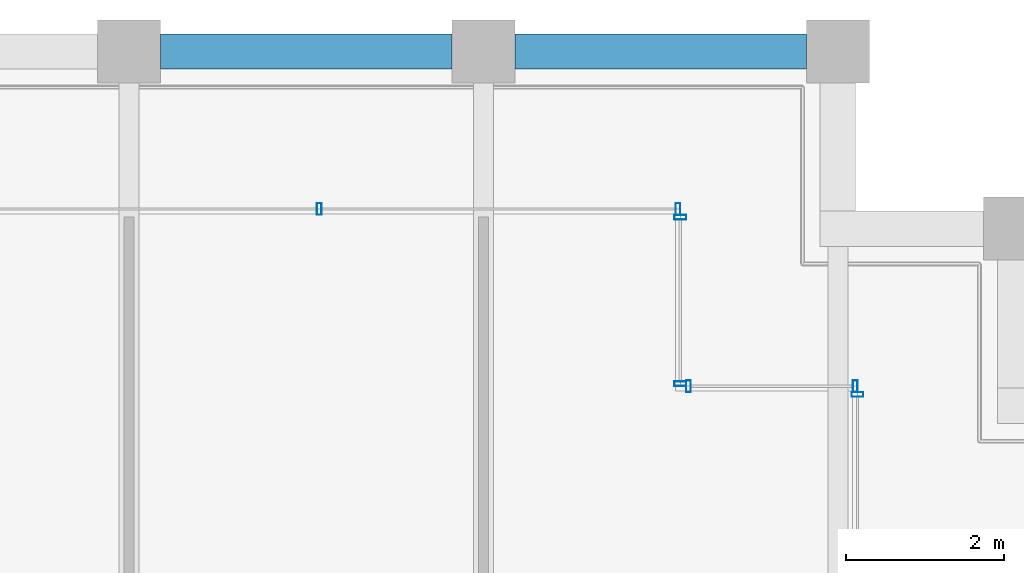
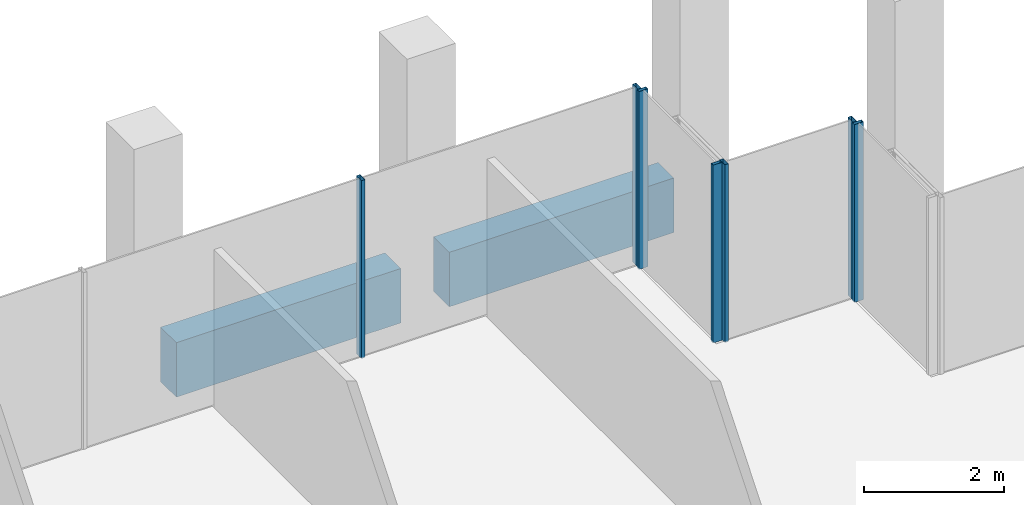
# One storey, part 26 of 30: 7 members, 2 beams, 4 elements without a shape of their own.
"""IFC4 building model written with IfcOpenShell, lengths in metres."""

import ifcopenshell
import ifcopenshell.guid

model = None  # the IFC model being written
_history = None  # IfcOwnerHistory: only IFC2X3 demands one
_inside = {}  # id of a spatial element -> (the spatial element, [elements in it])
_under = {}  # id of a project, library or spatial element -> (it, [spatial elements below it])
_declared = {}  # id of a project -> (the project, [libraries it declares])
_typed = {}  # id of a type object -> (the type object, [elements of that type])
_made_of = {}  # id of a material, layer set ... -> (it, [elements and type objects made of it])


def new_model(schema):
    """Start an empty IFC model of exactly this schema.

    Asked for "IFC4X3", IfcOpenShell would pick the latest addendum, in which some entities
    have other attributes; the version numbers below select the first issue.
    IFC2X3 requires an IfcOwnerHistory on every rooted entity: one is made here for all.
    """
    global model, _history
    if schema == "IFC4X3":
        model = ifcopenshell.file(schema_version=(4, 3, 0, 0))
    else:
        model = ifcopenshell.file(schema=schema)
    _inside.clear()
    _under.clear()
    _declared.clear()
    _typed.clear()
    _made_of.clear()
    _history = None
    if model.schema == "IFC2X3":
        org = make("IfcOrganization", Name="unknown")
        user = make(
            "IfcPersonAndOrganization",
            ThePerson=make("IfcPerson", FamilyName="unknown"),
            TheOrganization=org,
        )
        app = make(
            "IfcApplication",
            ApplicationDeveloper=org,
            Version="unknown",
            ApplicationFullName="unknown",
            ApplicationIdentifier="unknown",
        )
        _history = make(
            "IfcOwnerHistory",
            OwningUser=user,
            OwningApplication=app,
            ChangeAction="ADDED",
            CreationDate=0,
        )
    return model


def make(cls, **values):
    """One entity of the class cls with the attributes given. An attribute that is None is left unset."""
    return model.create_entity(
        cls, **{name: value for name, value in values.items() if value is not None}
    )


def rooted(cls, **values):
    """An entity with a GlobalId (a new one), such as an element, a storey or a relation."""
    return make(cls, GlobalId=ifcopenshell.guid.new(), OwnerHistory=_history, **values)


def si_unit(unit_type, name, prefix=None):
    """IfcSIUnit, for example si_unit("LENGTHUNIT", "METRE", prefix="MILLI")."""
    return make("IfcSIUnit", UnitType=unit_type, Prefix=prefix, Name=name)


def assignment(units):
    """IfcUnitAssignment: the units of a project."""
    return None if units is None else make("IfcUnitAssignment", Units=units)


def point(xyz):
    """IfcCartesianPoint."""
    return None if xyz is None else make("IfcCartesianPoint", Coordinates=xyz)


def direction(xyz):
    """IfcDirection."""
    return None if xyz is None else make("IfcDirection", DirectionRatios=xyz)


def frame(location, z_axis=None, x_axis=None):
    """IfcAxis2Placement3D, a coordinate frame: its origin and axes. An axis left out is left unset."""
    return make(
        "IfcAxis2Placement3D",
        Location=point(location),
        Axis=direction(z_axis),
        RefDirection=direction(x_axis),
    )


def frame_2d(location, x_axis=None):
    """IfcAxis2Placement2D, a coordinate frame in the plane: its origin and x axis."""
    return make(
        "IfcAxis2Placement2D", Location=point(location), RefDirection=direction(x_axis)
    )


def origin():
    """The frame at (0, 0, 0) with its axes left unset."""
    return frame((0.0, 0.0, 0.0))


def origin_2d():
    """The frame at (0, 0) in the plane with its x axis left unset."""
    return frame_2d((0.0, 0.0))


def place(relative_to, where):
    """IfcLocalPlacement: puts the frame where relative to a parent placement (None: the world)."""
    return make(
        "IfcLocalPlacement", PlacementRelTo=relative_to, RelativePlacement=where
    )


def context(
    kind, dimensions, precision=None, world=None, true_north=None, identifier=None
):
    """IfcGeometricRepresentationContext, for example the 3D "Model" context."""
    return make(
        "IfcGeometricRepresentationContext",
        ContextIdentifier=identifier,
        ContextType=kind,
        CoordinateSpaceDimension=dimensions,
        Precision=precision,
        WorldCoordinateSystem=world,
        TrueNorth=true_north,
    )


def subcontext(parent, identifier, kind, view, scale=None):
    """IfcGeometricRepresentationSubContext, for example "Body" below "Model"."""
    return make(
        "IfcGeometricRepresentationSubContext",
        ContextIdentifier=identifier,
        ContextType=kind,
        ParentContext=parent,
        TargetScale=scale,
        TargetView=view,
    )


def project(units=None, contexts=None):
    """IfcProject with its units and contexts."""
    return rooted(
        "IfcProject",
        Name="project",
        RepresentationContexts=contexts,
        UnitsInContext=assignment(units),
    )


def spatial(cls, under=None, at=None, **own):
    """A site, building, storey or space (cls), placed at a placement, below another one or the project."""
    s = rooted(cls, ObjectPlacement=at, **own)
    if under is not None:
        _under.setdefault(under.id(), (under, []))[1].append(s)
    return s


def profile(cls, at=None, kind="AREA", **sizes):
    """A parametric profile (cls). Its sizes go by their IFC names, for example OverallWidth=200.0."""
    return make(cls, ProfileType=kind, Position=at, **sizes)


def rectangle(**sizes):
    """IfcRectangleProfileDef."""
    return profile("IfcRectangleProfileDef", **sizes)


def hollow_rectangle(**sizes):
    """IfcRectangleHollowProfileDef."""
    return profile("IfcRectangleHollowProfileDef", **sizes)


def extrude(swept, where, along, depth):
    """IfcExtrudedAreaSolid: the profile swept, set in the frame where, extruded along a direction by depth."""
    return make(
        "IfcExtrudedAreaSolid",
        SweptArea=swept,
        Position=where,
        ExtrudedDirection=direction(along),
        Depth=depth,
    )


def shape(context_of_items, identifier, shape_type, items):
    """IfcShapeRepresentation: the items that make up one representation, for example the "Body"."""
    return make(
        "IfcShapeRepresentation",
        ContextOfItems=context_of_items,
        RepresentationIdentifier=identifier,
        RepresentationType=shape_type,
        Items=items,
    )


def material(Name=None, Category=None):
    """IfcMaterial."""
    return make("IfcMaterial", Name=Name, Category=Category)


def material_profile(
    of_material, cross_section, Name=None, Category=None, Priority=None
):
    """IfcMaterialProfile: a cross section and its material."""
    return make(
        "IfcMaterialProfile",
        Name=Name,
        Material=of_material,
        Profile=cross_section,
        Priority=Priority,
        Category=Category,
    )


def profile_set(profiles, Name=None, composite=None):
    """IfcMaterialProfileSet."""
    return make(
        "IfcMaterialProfileSet",
        Name=Name,
        MaterialProfiles=profiles,
        CompositeProfile=composite,
    )


def made_of(thing, what):
    """Note that an element or type object is made of a material, layer set ...; save() writes the relation."""
    if what is not None:
        _made_of.setdefault(what.id(), (what, []))[1].append(thing)
    return thing


def type_object(cls, material=None, **own):
    """A type object (cls), such as IfcWallType, which elements share."""
    return made_of(rooted(cls, **own), material)


def element(
    cls,
    number,
    at=None,
    inside=None,
    cuts=None,
    type_object=None,
    material=None,
    context=None,
    identifier="Body",
    shape_type=None,
    held_by="IfcProductDefinitionShape",
    body=None,
    shapes=None,
    **own,
):
    """One element of the class cls, such as IfcWall. Its Tag is "e" and its number.

    at: its placement. inside: the storey or other place that contains it. cuts: it is an
    opening in that element (IfcRelVoidsElement). A single representation is given by context,
    identifier, shape_type and body (its items); several are given by shapes. held_by: the class
    of the entity that holds the representations. save() writes the other relations.
    """
    e = rooted(cls, Tag="e%d" % number, ObjectPlacement=at, **own)
    if body is not None:
        shapes = [shape(context, identifier, shape_type, body)]
    if shapes is not None:
        e.Representation = make(held_by, Representations=shapes)
    if inside is not None:
        _inside.setdefault(inside.id(), (inside, []))[1].append(e)
    if cuts is not None:
        rooted(
            "IfcRelVoidsElement", RelatingBuildingElement=cuts, RelatedOpeningElement=e
        )
    if type_object is not None:
        _typed.setdefault(type_object.id(), (type_object, []))[1].append(e)
    return made_of(e, material)


def aggregate(whole, parts):
    """IfcRelAggregates: a whole, such as a stair, and the parts it consists of."""
    return rooted("IfcRelAggregates", RelatingObject=whole, RelatedObjects=parts)


def save(model, path):
    """Write the relations noted so far, then the file.

    IfcRelAggregates (storeys below a building ...), IfcRelContainedInSpatialStructure (elements
    in a storey), IfcRelDefinesByType, IfcRelAssociatesMaterial and IfcRelDeclares: one each for
    every whole, place, type object, material and project.
    """
    for whole, parts in _under.values():
        aggregate(whole, parts)
    for where, things in _inside.values():
        rooted(
            "IfcRelContainedInSpatialStructure",
            RelatedElements=things,
            RelatingStructure=where,
        )
    for kind, things in _typed.values():
        rooted("IfcRelDefinesByType", RelatedObjects=things, RelatingType=kind)
    for what, things in _made_of.values():
        rooted("IfcRelAssociatesMaterial", RelatedObjects=things, RelatingMaterial=what)
    for by, libraries in _declared.values():
        rooted("IfcRelDeclares", RelatingContext=by, RelatedDefinitions=libraries)
    model.write(path)


model = new_model("IFC4")

# Units and contexts
model_context = context("Model", 3, precision=1e-05, world=origin(), true_north=direction((0.0, 1.0)))
body_context = subcontext(model_context, "Body", "Model", "MODEL_VIEW")
ifc_project = project(units=[si_unit("LENGTHUNIT", "METRE"), si_unit("AREAUNIT", "SQUARE_METRE"), si_unit("VOLUMEUNIT", "CUBIC_METRE"), si_unit("PLANEANGLEUNIT", "RADIAN"), si_unit("MASSUNIT", "GRAM", prefix="KILO")], contexts=[model_context])

# Site, building, storey
site_placement = place(None, origin())
site = spatial("IfcSite", under=ifc_project, at=site_placement, CompositionType="ELEMENT")
building_placement = place(site_placement, origin())
building = spatial("IfcBuilding", under=site, at=building_placement, Name="Altepetl Exchange Towers", CompositionType="ELEMENT")
storey_placement = place(building_placement, frame((0.0, 0.0, 220.800048828125)))
storey = spatial("IfcBuildingStorey", under=building, at=storey_placement, Name="L56", CompositionType="ELEMENT", Elevation=220.800048828125)

# Curtain wall, member
ifc_material_1 = material(Name="Aluminium 6063-T6 glazing", Category="aluminium")
curtain_wall_type = type_object("IfcCurtainWallType", Name="Loggia glazing system", PredefinedType="NOTDEFINED", material=ifc_material_1)
curtain_wall_1_placement = place(storey_placement, origin())
curtain_wall_1 = element("IfcCurtainWall", 1, at=curtain_wall_1_placement, inside=storey, type_object=curtain_wall_type, Name="CW1 run", PredefinedType="NOTDEFINED")
ifc_material_2 = material(Name="Aluminium 6063-T6", Category="aluminium")
ifc_material_profile_1 = material_profile(ifc_material_2, hollow_rectangle(XDim=0.06005859375, YDim=0.14990234375, WallThickness=0.0029296875, at=origin_2d()), Name="Mullion 60x150 aluminium")
ifc_profile_set_1 = profile_set([ifc_material_profile_1], Name="Aluminium 6063-T6")
member_type = type_object("IfcMemberType", Name="Mullion 60x150 aluminium", PredefinedType="MULLION", material=ifc_profile_set_1)
member_1_placement = place(storey_placement, frame((67.75, 67.64501953125, 0.0), z_axis=(0.0, 0.0, 1.0), x_axis=(0.0, 1.0, 0.0)))
member_1 = element("IfcMember", 2, at=member_1_placement, type_object=member_type, Name="MU1 mullion", PredefinedType="MULLION", context=body_context, shape_type="SweptSolid", body=[
    extrude(hollow_rectangle(XDim=0.06005859375, YDim=0.14990234375, WallThickness=0.0029296875, at=origin_2d()), origin(), (0.0, 0.0, 1.0), 3.099853515625),
])
aggregate(curtain_wall_1, [member_1])

# Curtain wall, members
curtain_wall_2_placement = place(storey_placement, origin())
curtain_wall_2 = element("IfcCurtainWall", 3, at=curtain_wall_2_placement, inside=storey, type_object=curtain_wall_type, Name="CW1 run", PredefinedType="NOTDEFINED")
member_2_placement = place(storey_placement, frame((67.719970703125, 67.75, 0.0), z_axis=(0.0, 0.0, 1.0), x_axis=(-1.0, 0.0, 0.0)))
member_2 = element("IfcMember", 4, at=member_2_placement, type_object=member_type, Name="MU1 mullion", PredefinedType="MULLION", context=body_context, shape_type="SweptSolid", body=[
    extrude(hollow_rectangle(XDim=0.06005859375, YDim=0.14990234375, WallThickness=0.0029296875, at=origin_2d()), origin(), (0.0, 0.0, 1.0), 3.099853515625),
])
member_3_placement = place(storey_placement, frame((65.60498046875, 67.75, 0.0), z_axis=(0.0, 0.0, 1.0), x_axis=(-1.0, 0.0, 0.0)))
member_3 = element("IfcMember", 5, at=member_3_placement, type_object=member_type, Name="MU1 mullion", PredefinedType="MULLION", context=body_context, shape_type="SweptSolid", body=[
    extrude(hollow_rectangle(XDim=0.06005859375, YDim=0.14990234375, WallThickness=0.0029296875, at=origin_2d()), origin(), (0.0, 0.0, 1.0), 3.099853515625),
])
aggregate(curtain_wall_2, [member_2, member_3])

curtain_wall_3_placement = place(storey_placement, origin())
curtain_wall_3 = element("IfcCurtainWall", 6, at=curtain_wall_3_placement, inside=storey, type_object=curtain_wall_type, Name="CW1 run", PredefinedType="NOTDEFINED")
member_4_placement = place(storey_placement, frame((65.5, 67.780029296875, 0.0), z_axis=(0.0, 0.0, 1.0), x_axis=(0.0, 1.0, 0.0)))
member_4 = element("IfcMember", 7, at=member_4_placement, type_object=member_type, Name="MU1 mullion", PredefinedType="MULLION", context=body_context, shape_type="SweptSolid", body=[
    extrude(hollow_rectangle(XDim=0.06005859375, YDim=0.14990234375, WallThickness=0.0029296875, at=origin_2d()), origin(), (0.0, 0.0, 1.0), 3.099853515625),
])
member_5_placement = place(storey_placement, frame((65.5, 69.89501953125, 0.0), z_axis=(0.0, 0.0, 1.0), x_axis=(0.0, 1.0, 0.0)))
member_5 = element("IfcMember", 8, at=member_5_placement, type_object=member_type, Name="MU1 mullion", PredefinedType="MULLION", context=body_context, shape_type="SweptSolid", body=[
    extrude(hollow_rectangle(XDim=0.06005859375, YDim=0.14990234375, WallThickness=0.0029296875, at=origin_2d()), origin(), (0.0, 0.0, 1.0), 3.099853515625),
])
aggregate(curtain_wall_3, [member_4, member_5])

curtain_wall_4_placement = place(storey_placement, origin())
curtain_wall_4 = element("IfcCurtainWall", 9, at=curtain_wall_4_placement, inside=storey, type_object=curtain_wall_type, Name="CW1 run", PredefinedType="NOTDEFINED")
member_6_placement = place(storey_placement, frame((65.469970703125, 70.0, 0.0), z_axis=(0.0, 0.0, 1.0), x_axis=(-1.0, 0.0, 0.0)))
member_6 = element("IfcMember", 10, at=member_6_placement, type_object=member_type, Name="MU1 mullion", PredefinedType="MULLION", context=body_context, shape_type="SweptSolid", body=[
    extrude(hollow_rectangle(XDim=0.06005859375, YDim=0.14990234375, WallThickness=0.0029296875, at=origin_2d()), origin(), (0.0, 0.0, 1.0), 3.099853515625),
])
member_7_placement = place(storey_placement, frame((60.9150390625, 70.0, 0.0), z_axis=(0.0, 0.0, 1.0), x_axis=(-1.0, 0.0, 0.0)))
member_7 = element("IfcMember", 11, at=member_7_placement, type_object=member_type, Name="MU1 mullion", PredefinedType="MULLION", context=body_context, shape_type="SweptSolid", body=[
    extrude(hollow_rectangle(XDim=0.06005859375, YDim=0.14990234375, WallThickness=0.0029296875, at=origin_2d()), origin(), (0.0, 0.0, 1.0), 3.099853515625),
])
aggregate(curtain_wall_4, [member_6, member_7])

# Beams
ifc_material_3 = material(Name="Concrete C50/60 precast with cantera rosa facing", Category="concrete")
ifc_material_profile_2 = material_profile(ifc_material_3, rectangle(XDim=0.449951171875, YDim=0.949951171875, at=origin_2d()), Name="450 x 950")
ifc_profile_set_2 = profile_set([ifc_material_profile_2], Name="Concrete C50/60 precast with cantera rosa facing")
beam_type = type_object("IfcBeamType", Name="Spandrel beam 450x950 cantera rosa", PredefinedType="SPANDREL", material=ifc_profile_set_2)
for number, where, z_axis, x_axis, name in (
    (12, (67.10009765625, 72.0, -0.625), (-1.0, 0.0, 0.0), (0.0, -1.0, 0.0), "sp:A:L56:024"),
    (13, (62.60009765625, 72.0, -0.625), (-1.0, 0.0, 0.0), (0.0, -1.0, 0.0), "sp:A:L56:025"),
):
    element("IfcBeam", number, at=place(storey_placement, frame(where, z_axis=z_axis, x_axis=x_axis)), inside=storey, type_object=beam_type, Name=name, PredefinedType="SPANDREL", context=body_context, shape_type="SweptSolid", body=[
        extrude(rectangle(XDim=0.449951171875, YDim=0.949951171875, at=origin_2d()), origin(), (0.0, 0.0, 1.0), 3.7001953125),
    ])

save(model, "model.ifc")
